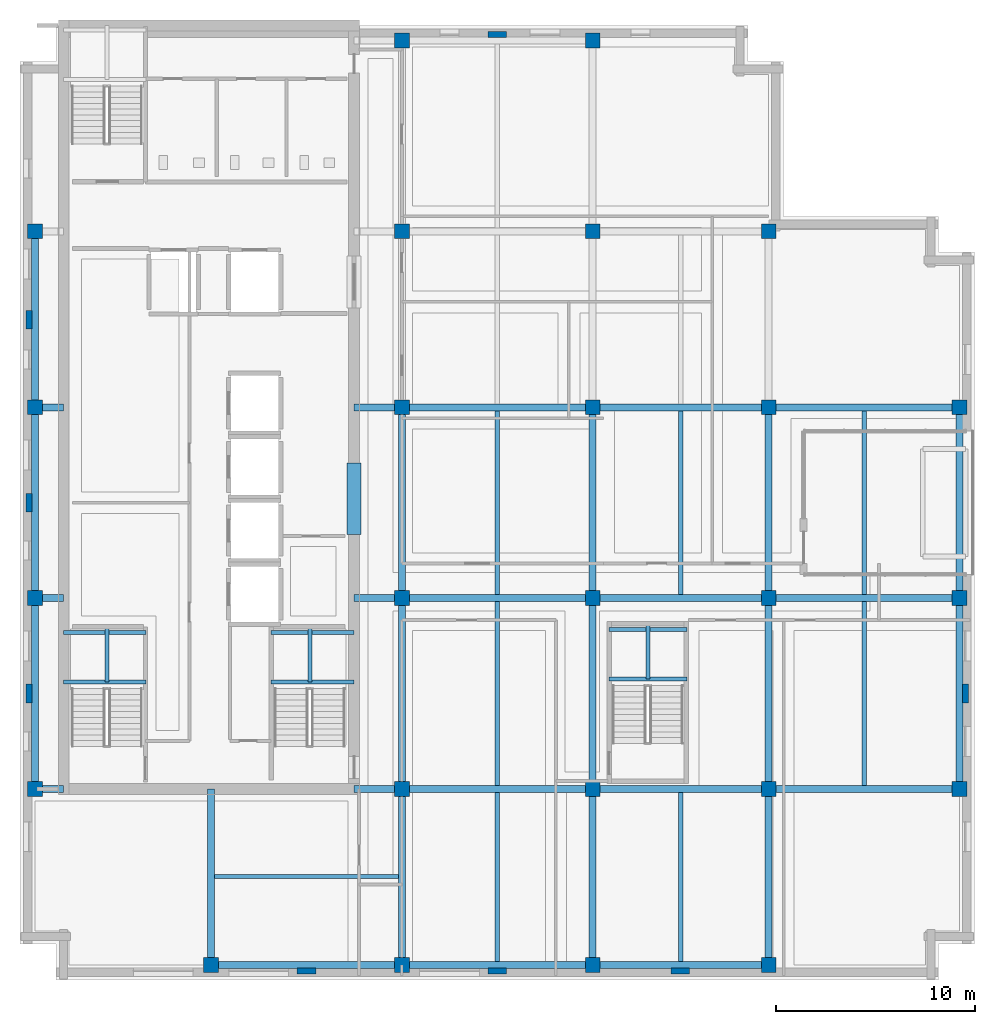
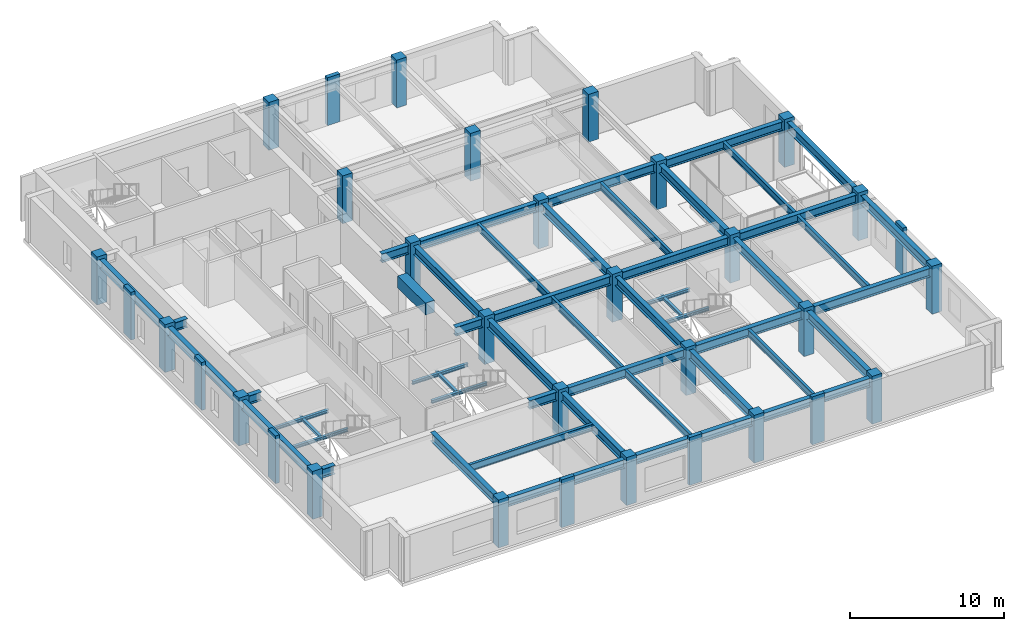
# One storey, part 1 of 13: 51 beams, 33 columns.
"""IFC4 building model written with IfcOpenShell, lengths in metres."""

from ifc_helpers import new_model, si_unit, direction, frame, origin, origin_2d, place, context, subcontext, project, spatial, rectangle, i_section, extrude, material, material_profile, profile_set, type_object, element, save


model = new_model("IFC4")

# Units and contexts
model_context = context("Model", 3, precision=1e-05, world=origin(), true_north=direction((0.0, 1.0)))
body_context = subcontext(model_context, "Body", "Model", "MODEL_VIEW")
ifc_project = project(units=[si_unit("LENGTHUNIT", "METRE"), si_unit("AREAUNIT", "SQUARE_METRE"), si_unit("VOLUMEUNIT", "CUBIC_METRE"), si_unit("PLANEANGLEUNIT", "RADIAN"), si_unit("MASSUNIT", "GRAM", prefix="KILO")], contexts=[model_context])

# Site, building, storey
site_placement = place(None, origin())
site = spatial("IfcSite", under=ifc_project, at=site_placement, CompositionType="ELEMENT")
building_placement = place(site_placement, origin())
building = spatial("IfcBuilding", under=site, at=building_placement, Name="Norrvale University Quadrangle", CompositionType="ELEMENT")
storey_placement = place(building_placement, frame((0.0, 0.0, 277.199951171875)))
storey = spatial("IfcBuildingStorey", under=building, at=storey_placement, Name="L70", CompositionType="ELEMENT", Elevation=277.199951171875)

# Columns
ifc_material_1 = material(Name="Red Manganese Brick Concrete C60/75", Category="concrete")
ifc_material_profile_1 = material_profile(ifc_material_1, rectangle(XDim=0.949951171875, YDim=0.300048828125, at=origin_2d()), Name="Red Manganese Brick Concrete C60/75")
ifc_profile_set_1 = profile_set([ifc_material_profile_1], Name="Red Manganese Brick Concrete C60/75")
column_type_1 = type_object("IfcColumnType", Name="Column Brick Pier 950x300", PredefinedType="PILASTER", material=ifc_profile_set_1)
for number, where, z_axis, x_axis, name in (
    (1, (0.449951171875, 14.39990234375, 0.0), (0.0, 0.0, 1.0), (0.0, 1.0, 0.0), "Exterior Brick Facade Pilaster L70-01"),
    (2, (0.449951171875, 24.0, 0.0), (0.0, 0.0, 1.0), (0.0, 1.0, 0.0), "Exterior Brick Facade Pilaster L70-02"),
    (3, (0.449951171875, 33.199951171875, 0.0), (0.0, 0.0, 1.0), (0.0, 1.0, 0.0), "Exterior Brick Facade Pilaster L70-03"),
    (4, (14.39990234375, 0.449951171875, 0.0), (0.0, 0.0, 1.0), (1.0, 0.0, 0.0), "Exterior Brick Facade Pilaster L70-04"),
    (5, (24.0, 0.449951171875, 0.0), (0.0, 0.0, 1.0), (1.0, 0.0, 0.0), "Exterior Brick Facade Pilaster L70-05"),
    (6, (33.199951171875, 0.449951171875, 0.0), (0.0, 0.0, 1.0), (1.0, 0.0, 0.0), "Exterior Brick Facade Pilaster L70-06"),
    (7, (47.550048828125, 14.39990234375, 0.0), (0.0, 0.0, 1.0), (0.0, 1.0, 0.0), "Exterior Brick Facade Pilaster L70-07"),
    (8, (24.0, 47.550048828125, 0.0), (0.0, 0.0, 1.0), (1.0, 0.0, 0.0), "Exterior Brick Facade Pilaster L70-08"),
):
    element("IfcColumn", number, at=place(storey_placement, frame(where, z_axis=z_axis, x_axis=x_axis)), inside=storey, type_object=column_type_1, Name=name, PredefinedType="PILASTER", context=body_context, shape_type="SweptSolid", body=[
        extrude(rectangle(XDim=0.949951171875, YDim=0.300048828125, at=origin_2d()), origin(), (0.0, 0.0, 1.0), 3.800048828125),
    ])
ifc_material_2 = material(Name="Concrete C60/75", Category="concrete")
ifc_material_profile_2 = material_profile(ifc_material_2, rectangle(XDim=0.75, YDim=0.75, at=origin_2d()), Name="Concrete C60/75")
ifc_profile_set_2 = profile_set([ifc_material_profile_2], Name="Concrete C60/75")
column_type_2 = type_object("IfcColumnType", Name="Column Tower Z4 750x750", PredefinedType="COLUMN", material=ifc_profile_set_2)
for number, where, z_axis, x_axis, name in (
    (9, (0.75, 9.60009765625, 0.0), (0.0, 0.0, 1.0), (1.0, 0.0, 0.0), "Tower Column L70-T01"),
    (10, (0.75, 19.199951171875, 0.0), (0.0, 0.0, 1.0), (1.0, 0.0, 0.0), "Tower Column L70-T02"),
    (11, (0.75, 28.800048828125, 0.0), (0.0, 0.0, 1.0), (1.0, 0.0, 0.0), "Tower Column L70-T03"),
    (12, (0.75, 37.64990234375, 0.0), (0.0, 0.0, 1.0), (1.0, 0.0, 0.0), "Tower Column L70-T04"),
    (13, (9.60009765625, 0.75, 0.0), (0.0, 0.0, 1.0), (1.0, 0.0, 0.0), "Tower Column L70-T05"),
    (14, (19.199951171875, 0.75, 0.0), (0.0, 0.0, 1.0), (1.0, 0.0, 0.0), "Tower Column L70-T06"),
    (15, (19.199951171875, 9.60009765625, 0.0), (0.0, 0.0, 1.0), (1.0, 0.0, 0.0), "Tower Column L70-T07"),
    (16, (19.199951171875, 19.199951171875, 0.0), (0.0, 0.0, 1.0), (1.0, 0.0, 0.0), "Tower Column L70-T08"),
    (17, (19.199951171875, 28.800048828125, 0.0), (0.0, 0.0, 1.0), (1.0, 0.0, 0.0), "Tower Column L70-T09"),
    (18, (19.199951171875, 37.64990234375, 0.0), (0.0, 0.0, 1.0), (1.0, 0.0, 0.0), "Tower Column L70-T10"),
    (19, (19.199951171875, 47.25, 0.0), (0.0, 0.0, 1.0), (1.0, 0.0, 0.0), "Tower Column L70-T11"),
    (20, (28.800048828125, 0.75, 0.0), (0.0, 0.0, 1.0), (1.0, 0.0, 0.0), "Tower Column L70-T12"),
    (21, (28.800048828125, 9.60009765625, 0.0), (0.0, 0.0, 1.0), (1.0, 0.0, 0.0), "Tower Column L70-T13"),
    (22, (28.800048828125, 19.199951171875, 0.0), (0.0, 0.0, 1.0), (1.0, 0.0, 0.0), "Tower Column L70-T14"),
    (23, (28.800048828125, 28.800048828125, 0.0), (0.0, 0.0, 1.0), (1.0, 0.0, 0.0), "Tower Column L70-T15"),
    (24, (28.800048828125, 37.64990234375, 0.0), (0.0, 0.0, 1.0), (1.0, 0.0, 0.0), "Tower Column L70-T16"),
    (25, (28.800048828125, 47.25, 0.0), (0.0, 0.0, 1.0), (1.0, 0.0, 0.0), "Tower Column L70-T17"),
    (26, (37.64990234375, 0.75, 0.0), (0.0, 0.0, 1.0), (1.0, 0.0, 0.0), "Tower Column L70-T18"),
    (27, (37.64990234375, 9.60009765625, 0.0), (0.0, 0.0, 1.0), (1.0, 0.0, 0.0), "Tower Column L70-T19"),
    (28, (37.64990234375, 19.199951171875, 0.0), (0.0, 0.0, 1.0), (1.0, 0.0, 0.0), "Tower Column L70-T20"),
    (29, (37.64990234375, 28.800048828125, 0.0), (0.0, 0.0, 1.0), (1.0, 0.0, 0.0), "Tower Column L70-T21"),
    (30, (37.64990234375, 37.64990234375, 0.0), (0.0, 0.0, 1.0), (1.0, 0.0, 0.0), "Tower Column L70-T22"),
    (31, (47.25, 9.60009765625, 0.0), (0.0, 0.0, 1.0), (1.0, 0.0, 0.0), "Tower Column L70-T23"),
    (32, (47.25, 19.199951171875, 0.0), (0.0, 0.0, 1.0), (1.0, 0.0, 0.0), "Tower Column L70-T24"),
    (33, (47.25, 28.800048828125, 0.0), (0.0, 0.0, 1.0), (1.0, 0.0, 0.0), "Tower Column L70-T25"),
):
    element("IfcColumn", number, at=place(storey_placement, frame(where, z_axis=z_axis, x_axis=x_axis)), inside=storey, type_object=column_type_2, Name=name, PredefinedType="COLUMN", context=body_context, shape_type="SweptSolid", body=[
        extrude(rectangle(XDim=0.75, YDim=0.75, at=origin_2d()), origin(), (0.0, 0.0, 1.0), 3.800048828125),
    ])

# Beams
ifc_material_3 = material(Name="Steel 350W", Category="steel")
ifc_material_profile_3 = material_profile(ifc_material_3, i_section(OverallWidth=0.35498046875, OverallDepth=0.695068359375, WebThickness=0.015380859375, FlangeThickness=0.02490234375, FilletRadius=0.01806640625, at=origin_2d()), Name="Steel 350W")
ifc_profile_set_3 = profile_set([ifc_material_profile_3], Name="Steel 350W")
beam_type_1 = type_object("IfcBeamType", Name="Beam Belt W690x217", PredefinedType="BEAM", material=ifc_profile_set_3)
beam_1_placement = place(storey_placement, frame((9.60009765625, 0.75, 3.192626953125), z_axis=(1.0, 0.0, 0.0), x_axis=(0.0, 1.0, 0.0)))
element("IfcBeam", 34, at=beam_1_placement, inside=storey, type_object=beam_type_1, Name="Beam Belt W690x217 BM-L70-GX001", PredefinedType="BEAM", context=body_context, shape_type="SweptSolid", body=[
    extrude(i_section(OverallWidth=0.35498046875, OverallDepth=0.695068359375, WebThickness=0.015380859375, FlangeThickness=0.02490234375, FilletRadius=0.01806640625, at=origin_2d()), origin(), (0.0, 0.0, 1.0), 9.599853515625),
])
beam_2_placement = place(storey_placement, frame((19.199951171875, 0.75, 3.192626953125), z_axis=(1.0, 0.0, 0.0), x_axis=(0.0, 1.0, 0.0)))
element("IfcBeam", 35, at=beam_2_placement, inside=storey, type_object=beam_type_1, Name="Beam Belt W690x217 BM-L70-GX002", PredefinedType="BEAM", context=body_context, shape_type="SweptSolid", body=[
    extrude(i_section(OverallWidth=0.35498046875, OverallDepth=0.695068359375, WebThickness=0.015380859375, FlangeThickness=0.02490234375, FilletRadius=0.01806640625, at=origin_2d()), origin(), (0.0, 0.0, 1.0), 9.60009765625),
])
beam_3_placement = place(storey_placement, frame((28.800048828125, 0.75, 3.192626953125), z_axis=(1.0, 0.0, 0.0), x_axis=(0.0, 1.0, 0.0)))
element("IfcBeam", 36, at=beam_3_placement, inside=storey, type_object=beam_type_1, Name="Beam Belt W690x217 BM-L70-GX003", PredefinedType="BEAM", context=body_context, shape_type="SweptSolid", body=[
    extrude(i_section(OverallWidth=0.35498046875, OverallDepth=0.695068359375, WebThickness=0.015380859375, FlangeThickness=0.02490234375, FilletRadius=0.01806640625, at=origin_2d()), origin(), (0.0, 0.0, 1.0), 8.849853515625),
])
beam_4_placement = place(storey_placement, frame((19.199951171875, 9.60009765625, 3.192626953125), z_axis=(1.0, 0.0, 0.0), x_axis=(0.0, 1.0, 0.0)))
element("IfcBeam", 37, at=beam_4_placement, inside=storey, type_object=beam_type_1, Name="Beam Belt W690x217 BM-L70-GX004", PredefinedType="BEAM", context=body_context, shape_type="SweptSolid", body=[
    extrude(i_section(OverallWidth=0.35498046875, OverallDepth=0.695068359375, WebThickness=0.015380859375, FlangeThickness=0.02490234375, FilletRadius=0.01806640625, at=origin_2d()), origin(), (0.0, 0.0, 1.0), 9.60009765625),
])
beam_5_placement = place(storey_placement, frame((28.800048828125, 9.60009765625, 3.192626953125), z_axis=(1.0, 0.0, 0.0), x_axis=(0.0, 1.0, 0.0)))
element("IfcBeam", 38, at=beam_5_placement, inside=storey, type_object=beam_type_1, Name="Beam Belt W690x217 BM-L70-GX005", PredefinedType="BEAM", context=body_context, shape_type="SweptSolid", body=[
    extrude(i_section(OverallWidth=0.35498046875, OverallDepth=0.695068359375, WebThickness=0.015380859375, FlangeThickness=0.02490234375, FilletRadius=0.01806640625, at=origin_2d()), origin(), (0.0, 0.0, 1.0), 8.849853515625),
])
for number, where, z_axis, x_axis, name in (
    (39, (37.64990234375, 9.60009765625, 3.192626953125), (1.0, 0.0, 0.0), (0.0, 1.0, 0.0), "Beam Belt W690x217 BM-L70-GX006"),
    (40, (19.199951171875, 19.199951171875, 3.192626953125), (1.0, 0.0, 0.0), (0.0, 1.0, 0.0), "Beam Belt W690x217 BM-L70-GX007"),
):
    element("IfcBeam", number, at=place(storey_placement, frame(where, z_axis=z_axis, x_axis=x_axis)), inside=storey, type_object=beam_type_1, Name=name, PredefinedType="BEAM", context=body_context, shape_type="SweptSolid", body=[
        extrude(i_section(OverallWidth=0.35498046875, OverallDepth=0.695068359375, WebThickness=0.015380859375, FlangeThickness=0.02490234375, FilletRadius=0.01806640625, at=origin_2d()), origin(), (0.0, 0.0, 1.0), 9.60009765625),
    ])
beam_6_placement = place(storey_placement, frame((28.800048828125, 19.199951171875, 3.192626953125), z_axis=(1.0, 0.0, 0.0), x_axis=(0.0, 1.0, 0.0)))
element("IfcBeam", 41, at=beam_6_placement, inside=storey, type_object=beam_type_1, Name="Beam Belt W690x217 BM-L70-GX008", PredefinedType="BEAM", context=body_context, shape_type="SweptSolid", body=[
    extrude(i_section(OverallWidth=0.35498046875, OverallDepth=0.695068359375, WebThickness=0.015380859375, FlangeThickness=0.02490234375, FilletRadius=0.01806640625, at=origin_2d()), origin(), (0.0, 0.0, 1.0), 8.849853515625),
])
for number, where, z_axis, x_axis, name in (
    (42, (37.64990234375, 19.199951171875, 3.192626953125), (1.0, 0.0, 0.0), (0.0, 1.0, 0.0), "Beam Belt W690x217 BM-L70-GX009"),
    (43, (19.199951171875, 28.800048828125, 3.192626953125), (1.0, 0.0, 0.0), (0.0, 1.0, 0.0), "Beam Belt W690x217 BM-L70-GX010"),
):
    element("IfcBeam", number, at=place(storey_placement, frame(where, z_axis=z_axis, x_axis=x_axis)), inside=storey, type_object=beam_type_1, Name=name, PredefinedType="BEAM", context=body_context, shape_type="SweptSolid", body=[
        extrude(i_section(OverallWidth=0.35498046875, OverallDepth=0.695068359375, WebThickness=0.015380859375, FlangeThickness=0.02490234375, FilletRadius=0.01806640625, at=origin_2d()), origin(), (0.0, 0.0, 1.0), 9.60009765625),
    ])
beam_7_placement = place(storey_placement, frame((28.800048828125, 28.800048828125, 3.192626953125), z_axis=(1.0, 0.0, 0.0), x_axis=(0.0, 1.0, 0.0)))
element("IfcBeam", 44, at=beam_7_placement, inside=storey, type_object=beam_type_1, Name="Beam Belt W690x217 BM-L70-GX011", PredefinedType="BEAM", context=body_context, shape_type="SweptSolid", body=[
    extrude(i_section(OverallWidth=0.35498046875, OverallDepth=0.695068359375, WebThickness=0.015380859375, FlangeThickness=0.02490234375, FilletRadius=0.01806640625, at=origin_2d()), origin(), (0.0, 0.0, 1.0), 8.849853515625),
])
beam_8_placement = place(storey_placement, frame((37.64990234375, 28.800048828125, 3.192626953125), z_axis=(1.0, 0.0, 0.0), x_axis=(0.0, 1.0, 0.0)))
element("IfcBeam", 45, at=beam_8_placement, inside=storey, type_object=beam_type_1, Name="Beam Belt W690x217 BM-L70-GX012", PredefinedType="BEAM", context=body_context, shape_type="SweptSolid", body=[
    extrude(i_section(OverallWidth=0.35498046875, OverallDepth=0.695068359375, WebThickness=0.015380859375, FlangeThickness=0.02490234375, FilletRadius=0.01806640625, at=origin_2d()), origin(), (0.0, 0.0, 1.0), 9.60009765625),
])
beam_9_placement = place(storey_placement, frame((0.75, 9.60009765625, 3.192626953125), z_axis=(0.0, 1.0, 0.0), x_axis=(-1.0, 0.0, 0.0)))
element("IfcBeam", 46, at=beam_9_placement, inside=storey, type_object=beam_type_1, Name="Beam Belt W690x217 BM-L70-GY016", PredefinedType="BEAM", context=body_context, shape_type="SweptSolid", body=[
    extrude(i_section(OverallWidth=0.35498046875, OverallDepth=0.695068359375, WebThickness=0.015380859375, FlangeThickness=0.02490234375, FilletRadius=0.01806640625, at=origin_2d()), origin(), (0.0, 0.0, 1.0), 9.599853515625),
])
beam_10_placement = place(storey_placement, frame((0.75, 19.199951171875, 3.192626953125), z_axis=(0.0, 1.0, 0.0), x_axis=(-1.0, 0.0, 0.0)))
element("IfcBeam", 47, at=beam_10_placement, inside=storey, type_object=beam_type_1, Name="Beam Belt W690x217 BM-L70-GY017", PredefinedType="BEAM", context=body_context, shape_type="SweptSolid", body=[
    extrude(i_section(OverallWidth=0.35498046875, OverallDepth=0.695068359375, WebThickness=0.015380859375, FlangeThickness=0.02490234375, FilletRadius=0.01806640625, at=origin_2d()), origin(), (0.0, 0.0, 1.0), 9.60009765625),
])
beam_11_placement = place(storey_placement, frame((0.75, 28.800048828125, 3.192626953125), z_axis=(0.0, 1.0, 0.0), x_axis=(-1.0, 0.0, 0.0)))
element("IfcBeam", 48, at=beam_11_placement, inside=storey, type_object=beam_type_1, Name="Beam Belt W690x217 BM-L70-GY018", PredefinedType="BEAM", context=body_context, shape_type="SweptSolid", body=[
    extrude(i_section(OverallWidth=0.35498046875, OverallDepth=0.695068359375, WebThickness=0.015380859375, FlangeThickness=0.02490234375, FilletRadius=0.01806640625, at=origin_2d()), origin(), (0.0, 0.0, 1.0), 8.849853515625),
])
beam_12_placement = place(storey_placement, frame((19.199951171875, 0.75, 3.192626953125), z_axis=(0.0, 1.0, 0.0), x_axis=(-1.0, 0.0, 0.0)))
element("IfcBeam", 49, at=beam_12_placement, inside=storey, type_object=beam_type_1, Name="Beam Belt W690x217 BM-L70-GY019", PredefinedType="BEAM", context=body_context, shape_type="SweptSolid", body=[
    extrude(i_section(OverallWidth=0.35498046875, OverallDepth=0.695068359375, WebThickness=0.015380859375, FlangeThickness=0.02490234375, FilletRadius=0.01806640625, at=origin_2d()), origin(), (0.0, 0.0, 1.0), 8.85009765625),
])
beam_13_placement = place(storey_placement, frame((19.199951171875, 9.60009765625, 3.192626953125), z_axis=(0.0, 1.0, 0.0), x_axis=(-1.0, 0.0, 0.0)))
element("IfcBeam", 50, at=beam_13_placement, inside=storey, type_object=beam_type_1, Name="Beam Belt W690x217 BM-L70-GY020", PredefinedType="BEAM", context=body_context, shape_type="SweptSolid", body=[
    extrude(i_section(OverallWidth=0.35498046875, OverallDepth=0.695068359375, WebThickness=0.015380859375, FlangeThickness=0.02490234375, FilletRadius=0.01806640625, at=origin_2d()), origin(), (0.0, 0.0, 1.0), 9.599853515625),
])
beam_14_placement = place(storey_placement, frame((19.199951171875, 19.199951171875, 3.192626953125), z_axis=(0.0, 1.0, 0.0), x_axis=(-1.0, 0.0, 0.0)))
element("IfcBeam", 51, at=beam_14_placement, inside=storey, type_object=beam_type_1, Name="Beam Belt W690x217 BM-L70-GY021", PredefinedType="BEAM", context=body_context, shape_type="SweptSolid", body=[
    extrude(i_section(OverallWidth=0.35498046875, OverallDepth=0.695068359375, WebThickness=0.015380859375, FlangeThickness=0.02490234375, FilletRadius=0.01806640625, at=origin_2d()), origin(), (0.0, 0.0, 1.0), 9.60009765625),
])
beam_15_placement = place(storey_placement, frame((28.800048828125, 0.75, 3.192626953125), z_axis=(0.0, 1.0, 0.0), x_axis=(-1.0, 0.0, 0.0)))
element("IfcBeam", 52, at=beam_15_placement, inside=storey, type_object=beam_type_1, Name="Beam Belt W690x217 BM-L70-GY024", PredefinedType="BEAM", context=body_context, shape_type="SweptSolid", body=[
    extrude(i_section(OverallWidth=0.35498046875, OverallDepth=0.695068359375, WebThickness=0.015380859375, FlangeThickness=0.02490234375, FilletRadius=0.01806640625, at=origin_2d()), origin(), (0.0, 0.0, 1.0), 8.85009765625),
])
beam_16_placement = place(storey_placement, frame((28.800048828125, 9.60009765625, 3.192626953125), z_axis=(0.0, 1.0, 0.0), x_axis=(-1.0, 0.0, 0.0)))
element("IfcBeam", 53, at=beam_16_placement, inside=storey, type_object=beam_type_1, Name="Beam Belt W690x217 BM-L70-GY025", PredefinedType="BEAM", context=body_context, shape_type="SweptSolid", body=[
    extrude(i_section(OverallWidth=0.35498046875, OverallDepth=0.695068359375, WebThickness=0.015380859375, FlangeThickness=0.02490234375, FilletRadius=0.01806640625, at=origin_2d()), origin(), (0.0, 0.0, 1.0), 9.599853515625),
])
beam_17_placement = place(storey_placement, frame((28.800048828125, 19.199951171875, 3.192626953125), z_axis=(0.0, 1.0, 0.0), x_axis=(-1.0, 0.0, 0.0)))
element("IfcBeam", 54, at=beam_17_placement, inside=storey, type_object=beam_type_1, Name="Beam Belt W690x217 BM-L70-GY026", PredefinedType="BEAM", context=body_context, shape_type="SweptSolid", body=[
    extrude(i_section(OverallWidth=0.35498046875, OverallDepth=0.695068359375, WebThickness=0.015380859375, FlangeThickness=0.02490234375, FilletRadius=0.01806640625, at=origin_2d()), origin(), (0.0, 0.0, 1.0), 9.60009765625),
])
beam_18_placement = place(storey_placement, frame((37.64990234375, 0.75, 3.192626953125), z_axis=(0.0, 1.0, 0.0), x_axis=(-1.0, 0.0, 0.0)))
element("IfcBeam", 55, at=beam_18_placement, inside=storey, type_object=beam_type_1, Name="Beam Belt W690x217 BM-L70-GY029", PredefinedType="BEAM", context=body_context, shape_type="SweptSolid", body=[
    extrude(i_section(OverallWidth=0.35498046875, OverallDepth=0.695068359375, WebThickness=0.015380859375, FlangeThickness=0.02490234375, FilletRadius=0.01806640625, at=origin_2d()), origin(), (0.0, 0.0, 1.0), 8.85009765625),
])
beam_19_placement = place(storey_placement, frame((37.64990234375, 9.60009765625, 3.192626953125), z_axis=(0.0, 1.0, 0.0), x_axis=(-1.0, 0.0, 0.0)))
element("IfcBeam", 56, at=beam_19_placement, inside=storey, type_object=beam_type_1, Name="Beam Belt W690x217 BM-L70-GY030", PredefinedType="BEAM", context=body_context, shape_type="SweptSolid", body=[
    extrude(i_section(OverallWidth=0.35498046875, OverallDepth=0.695068359375, WebThickness=0.015380859375, FlangeThickness=0.02490234375, FilletRadius=0.01806640625, at=origin_2d()), origin(), (0.0, 0.0, 1.0), 9.599853515625),
])
beam_20_placement = place(storey_placement, frame((37.64990234375, 19.199951171875, 3.192626953125), z_axis=(0.0, 1.0, 0.0), x_axis=(-1.0, 0.0, 0.0)))
element("IfcBeam", 57, at=beam_20_placement, inside=storey, type_object=beam_type_1, Name="Beam Belt W690x217 BM-L70-GY031", PredefinedType="BEAM", context=body_context, shape_type="SweptSolid", body=[
    extrude(i_section(OverallWidth=0.35498046875, OverallDepth=0.695068359375, WebThickness=0.015380859375, FlangeThickness=0.02490234375, FilletRadius=0.01806640625, at=origin_2d()), origin(), (0.0, 0.0, 1.0), 9.60009765625),
])
beam_21_placement = place(storey_placement, frame((47.25, 9.60009765625, 3.192626953125), z_axis=(0.0, 1.0, 0.0), x_axis=(-1.0, 0.0, 0.0)))
element("IfcBeam", 58, at=beam_21_placement, inside=storey, type_object=beam_type_1, Name="Beam Belt W690x217 BM-L70-GY033", PredefinedType="BEAM", context=body_context, shape_type="SweptSolid", body=[
    extrude(i_section(OverallWidth=0.35498046875, OverallDepth=0.695068359375, WebThickness=0.015380859375, FlangeThickness=0.02490234375, FilletRadius=0.01806640625, at=origin_2d()), origin(), (0.0, 0.0, 1.0), 9.599853515625),
])
beam_22_placement = place(storey_placement, frame((47.25, 19.199951171875, 3.192626953125), z_axis=(0.0, 1.0, 0.0), x_axis=(-1.0, 0.0, 0.0)))
element("IfcBeam", 59, at=beam_22_placement, inside=storey, type_object=beam_type_1, Name="Beam Belt W690x217 BM-L70-GY034", PredefinedType="BEAM", context=body_context, shape_type="SweptSolid", body=[
    extrude(i_section(OverallWidth=0.35498046875, OverallDepth=0.695068359375, WebThickness=0.015380859375, FlangeThickness=0.02490234375, FilletRadius=0.01806640625, at=origin_2d()), origin(), (0.0, 0.0, 1.0), 9.60009765625),
])
beam_23_placement = place(storey_placement, frame((0.75, 9.60009765625, 3.192626953125), z_axis=(1.0, 0.0, 0.0), x_axis=(0.0, 1.0, 0.0)))
element("IfcBeam", 60, at=beam_23_placement, inside=storey, type_object=beam_type_1, Name="Beam Belt W690x217 BM-L70-GCW035", PredefinedType="BEAM", context=body_context, shape_type="SweptSolid", body=[
    extrude(i_section(OverallWidth=0.35498046875, OverallDepth=0.695068359375, WebThickness=0.015380859375, FlangeThickness=0.02490234375, FilletRadius=0.01806640625, at=origin_2d()), origin(), (0.0, 0.0, 1.0), 1.449951171875),
])
beam_24_placement = place(storey_placement, frame((16.800048828125, 9.60009765625, 3.192626953125), z_axis=(1.0, 0.0, 0.0), x_axis=(0.0, 1.0, 0.0)))
element("IfcBeam", 61, at=beam_24_placement, inside=storey, type_object=beam_type_1, Name="Beam Belt W690x217 BM-L70-GCE036", PredefinedType="BEAM", context=body_context, shape_type="SweptSolid", body=[
    extrude(i_section(OverallWidth=0.35498046875, OverallDepth=0.695068359375, WebThickness=0.015380859375, FlangeThickness=0.02490234375, FilletRadius=0.01806640625, at=origin_2d()), origin(), (0.0, 0.0, 1.0), 2.39990234375),
])
beam_25_placement = place(storey_placement, frame((0.75, 19.199951171875, 3.192626953125), z_axis=(1.0, 0.0, 0.0), x_axis=(0.0, 1.0, 0.0)))
element("IfcBeam", 62, at=beam_25_placement, inside=storey, type_object=beam_type_1, Name="Beam Belt W690x217 BM-L70-GCW037", PredefinedType="BEAM", context=body_context, shape_type="SweptSolid", body=[
    extrude(i_section(OverallWidth=0.35498046875, OverallDepth=0.695068359375, WebThickness=0.015380859375, FlangeThickness=0.02490234375, FilletRadius=0.01806640625, at=origin_2d()), origin(), (0.0, 0.0, 1.0), 1.449951171875),
])
beam_26_placement = place(storey_placement, frame((16.800048828125, 19.199951171875, 3.192626953125), z_axis=(1.0, 0.0, 0.0), x_axis=(0.0, 1.0, 0.0)))
element("IfcBeam", 63, at=beam_26_placement, inside=storey, type_object=beam_type_1, Name="Beam Belt W690x217 BM-L70-GCE038", PredefinedType="BEAM", context=body_context, shape_type="SweptSolid", body=[
    extrude(i_section(OverallWidth=0.35498046875, OverallDepth=0.695068359375, WebThickness=0.015380859375, FlangeThickness=0.02490234375, FilletRadius=0.01806640625, at=origin_2d()), origin(), (0.0, 0.0, 1.0), 2.39990234375),
])
beam_27_placement = place(storey_placement, frame((0.75, 28.800048828125, 3.192626953125), z_axis=(1.0, 0.0, 0.0), x_axis=(0.0, 1.0, 0.0)))
element("IfcBeam", 64, at=beam_27_placement, inside=storey, type_object=beam_type_1, Name="Beam Belt W690x217 BM-L70-GCW039", PredefinedType="BEAM", context=body_context, shape_type="SweptSolid", body=[
    extrude(i_section(OverallWidth=0.35498046875, OverallDepth=0.695068359375, WebThickness=0.015380859375, FlangeThickness=0.02490234375, FilletRadius=0.01806640625, at=origin_2d()), origin(), (0.0, 0.0, 1.0), 1.449951171875),
])
beam_28_placement = place(storey_placement, frame((16.800048828125, 28.800048828125, 3.192626953125), z_axis=(1.0, 0.0, 0.0), x_axis=(0.0, 1.0, 0.0)))
element("IfcBeam", 65, at=beam_28_placement, inside=storey, type_object=beam_type_1, Name="Beam Belt W690x217 BM-L70-GCE040", PredefinedType="BEAM", context=body_context, shape_type="SweptSolid", body=[
    extrude(i_section(OverallWidth=0.35498046875, OverallDepth=0.695068359375, WebThickness=0.015380859375, FlangeThickness=0.02490234375, FilletRadius=0.01806640625, at=origin_2d()), origin(), (0.0, 0.0, 1.0), 2.39990234375),
])
beam_29_placement = place(storey_placement, frame((9.60009765625, 0.75, 3.192626953125), z_axis=(0.0, 1.0, 0.0), x_axis=(-1.0, 0.0, 0.0)))
element("IfcBeam", 66, at=beam_29_placement, inside=storey, type_object=beam_type_1, Name="Beam Belt W690x217 BM-L70-GCS054", PredefinedType="BEAM", context=body_context, shape_type="SweptSolid", body=[
    extrude(i_section(OverallWidth=0.35498046875, OverallDepth=0.695068359375, WebThickness=0.015380859375, FlangeThickness=0.02490234375, FilletRadius=0.01806640625, at=origin_2d()), origin(), (0.0, 0.0, 1.0), 8.85009765625),
])
ifc_material_4 = material(Name="Concrete C80/95", Category="concrete")
ifc_material_profile_4 = material_profile(ifc_material_4, rectangle(XDim=0.699951171875, YDim=0.949951171875, at=origin_2d()), Name="Concrete C80/95")
ifc_profile_set_4 = profile_set([ifc_material_profile_4], Name="Concrete C80/95")
beam_type_2 = type_object("IfcBeamType", Name="Beam Core Link 700x950", PredefinedType="LINTEL", material=ifc_profile_set_4)
beam_30_placement = place(storey_placement, frame((16.800048828125, 22.39990234375, 3.06494140625), z_axis=(0.0, 1.0, 0.0), x_axis=(-1.0, 0.0, 0.0)))
element("IfcBeam", 67, at=beam_30_placement, inside=storey, type_object=beam_type_2, Name="Core Coupling Lintel Beam L70-1", PredefinedType="LINTEL", context=body_context, shape_type="SweptSolid", body=[
    extrude(rectangle(XDim=0.699951171875, YDim=0.949951171875, at=origin_2d()), origin(), (0.0, 0.0, 1.0), 3.60009765625),
])
ifc_material_profile_5 = material_profile(ifc_material_3, i_section(OverallWidth=0.2119140625, OverallDepth=0.5439453125, WebThickness=0.01318359375, FlangeThickness=0.021240234375, FilletRadius=0.013916015625, at=origin_2d()), Name="Steel 350W")
ifc_profile_set_5 = profile_set([ifc_material_profile_5], Name="Steel 350W")
beam_type_3 = type_object("IfcBeamType", Name="Beam Floor W530x123", PredefinedType="BEAM", material=ifc_profile_set_5)
beam_31_placement = place(storey_placement, frame((24.0, 0.927490234375, 3.26806640625), z_axis=(0.0, 1.0, 0.0), x_axis=(-1.0, 0.0, 0.0)))
element("IfcBeam", 68, at=beam_31_placement, inside=storey, type_object=beam_type_3, Name="Beam Floor W530x123 BM-L70-J044", PredefinedType="BEAM", context=body_context, shape_type="SweptSolid", body=[
    extrude(i_section(OverallWidth=0.2119140625, OverallDepth=0.5439453125, WebThickness=0.01318359375, FlangeThickness=0.021240234375, FilletRadius=0.013916015625, at=origin_2d()), origin(), (0.0, 0.0, 1.0), 8.4951171875),
])
beam_32_placement = place(storey_placement, frame((24.0, 9.777587890625, 3.26806640625), z_axis=(0.0, 1.0, 0.0), x_axis=(-1.0, 0.0, 0.0)))
element("IfcBeam", 69, at=beam_32_placement, inside=storey, type_object=beam_type_3, Name="Beam Floor W530x123 BM-L70-J045", PredefinedType="BEAM", context=body_context, shape_type="SweptSolid", body=[
    extrude(i_section(OverallWidth=0.2119140625, OverallDepth=0.5439453125, WebThickness=0.01318359375, FlangeThickness=0.021240234375, FilletRadius=0.013916015625, at=origin_2d()), origin(), (0.0, 0.0, 1.0), 9.244873046875),
])
beam_33_placement = place(storey_placement, frame((24.0, 19.37744140625, 3.26806640625), z_axis=(0.0, 1.0, 0.0), x_axis=(-1.0, 0.0, 0.0)))
element("IfcBeam", 70, at=beam_33_placement, inside=storey, type_object=beam_type_3, Name="Beam Floor W530x123 BM-L70-J046", PredefinedType="BEAM", context=body_context, shape_type="SweptSolid", body=[
    extrude(i_section(OverallWidth=0.2119140625, OverallDepth=0.5439453125, WebThickness=0.01318359375, FlangeThickness=0.021240234375, FilletRadius=0.013916015625, at=origin_2d()), origin(), (0.0, 0.0, 1.0), 9.2451171875),
])
beam_34_placement = place(storey_placement, frame((33.22509765625, 0.927490234375, 3.26806640625), z_axis=(0.0, 1.0, 0.0), x_axis=(-1.0, 0.0, 0.0)))
element("IfcBeam", 71, at=beam_34_placement, inside=storey, type_object=beam_type_3, Name="Beam Floor W530x123 BM-L70-J049", PredefinedType="BEAM", context=body_context, shape_type="SweptSolid", body=[
    extrude(i_section(OverallWidth=0.2119140625, OverallDepth=0.5439453125, WebThickness=0.01318359375, FlangeThickness=0.021240234375, FilletRadius=0.013916015625, at=origin_2d()), origin(), (0.0, 0.0, 1.0), 8.4951171875),
])
beam_35_placement = place(storey_placement, frame((33.22509765625, 19.37744140625, 3.26806640625), z_axis=(0.0, 1.0, 0.0), x_axis=(-1.0, 0.0, 0.0)))
element("IfcBeam", 72, at=beam_35_placement, inside=storey, type_object=beam_type_3, Name="Beam Floor W530x123 BM-L70-J050", PredefinedType="BEAM", context=body_context, shape_type="SweptSolid", body=[
    extrude(i_section(OverallWidth=0.2119140625, OverallDepth=0.5439453125, WebThickness=0.01318359375, FlangeThickness=0.021240234375, FilletRadius=0.013916015625, at=origin_2d()), origin(), (0.0, 0.0, 1.0), 9.2451171875),
])
beam_36_placement = place(storey_placement, frame((42.449951171875, 9.777587890625, 3.26806640625), z_axis=(0.0, 1.0, 0.0), x_axis=(-1.0, 0.0, 0.0)))
element("IfcBeam", 73, at=beam_36_placement, inside=storey, type_object=beam_type_3, Name="Beam Floor W530x123 BM-L70-J052", PredefinedType="BEAM", context=body_context, shape_type="SweptSolid", body=[
    extrude(i_section(OverallWidth=0.2119140625, OverallDepth=0.5439453125, WebThickness=0.01318359375, FlangeThickness=0.021240234375, FilletRadius=0.013916015625, at=origin_2d()), origin(), (0.0, 0.0, 1.0), 9.244873046875),
])
beam_37_placement = place(storey_placement, frame((42.449951171875, 19.37744140625, 3.26806640625), z_axis=(0.0, 1.0, 0.0), x_axis=(-1.0, 0.0, 0.0)))
element("IfcBeam", 74, at=beam_37_placement, inside=storey, type_object=beam_type_3, Name="Beam Floor W530x123 BM-L70-J053", PredefinedType="BEAM", context=body_context, shape_type="SweptSolid", body=[
    extrude(i_section(OverallWidth=0.2119140625, OverallDepth=0.5439453125, WebThickness=0.01318359375, FlangeThickness=0.021240234375, FilletRadius=0.013916015625, at=origin_2d()), origin(), (0.0, 0.0, 1.0), 9.2451171875),
])
beam_38_placement = place(storey_placement, frame((9.777587890625, 5.199951171875, 3.26806640625), z_axis=(1.0, 0.0, 0.0), x_axis=(0.0, 1.0, 0.0)))
element("IfcBeam", 75, at=beam_38_placement, inside=storey, type_object=beam_type_3, Name="Beam Floor W530x123 BM-L70-JCS055", PredefinedType="BEAM", context=body_context, shape_type="SweptSolid", body=[
    extrude(i_section(OverallWidth=0.2119140625, OverallDepth=0.5439453125, WebThickness=0.01318359375, FlangeThickness=0.021240234375, FilletRadius=0.013916015625, at=origin_2d()), origin(), (0.0, 0.0, 1.0), 9.244873046875),
])
ifc_material_profile_6 = material_profile(ifc_material_3, i_section(OverallWidth=0.201904296875, OverallDepth=0.2470703125, WebThickness=0.00732421875, FlangeThickness=0.010986328125, FilletRadius=0.011962890625, at=origin_2d()), Name="Steel 350W")
ifc_profile_set_6 = profile_set([ifc_material_profile_6], Name="Steel 350W")
beam_type_4 = type_object("IfcBeamType", Name="Beam Stair W250x49", PredefinedType="BEAM", material=ifc_profile_set_6)
for number, where, z_axis, x_axis, name in (
    (76, (2.199951171875, 14.989990234375, 1.57666015625), (1.0, 0.0, 0.0), (0.0, 1.0, 0.0), "Stair Mid-Landing Front Beam ST-01 L70"),
    (77, (2.199951171875, 17.469970703125, 1.57666015625), (1.0, 0.0, 0.0), (0.0, 1.0, 0.0), "Stair Mid-Landing Rear Beam ST-01 L70"),
):
    element("IfcBeam", number, at=place(storey_placement, frame(where, z_axis=z_axis, x_axis=x_axis)), inside=storey, type_object=beam_type_4, Name=name, PredefinedType="BEAM", context=body_context, shape_type="SweptSolid", body=[
        extrude(i_section(OverallWidth=0.201904296875, OverallDepth=0.2470703125, WebThickness=0.00732421875, FlangeThickness=0.010986328125, FilletRadius=0.011962890625, at=origin_2d()), origin(), (0.0, 0.0, 1.0), 4.14013671875),
    ])
for number, where, z_axis, x_axis, name in (
    (78, (12.610107421875, 14.989990234375, 1.57666015625), (1.0, 0.0, 0.0), (0.0, 1.0, 0.0), "Stair Mid-Landing Front Beam ST-03 L70"),
    (79, (12.610107421875, 17.469970703125, 1.57666015625), (1.0, 0.0, 0.0), (0.0, 1.0, 0.0), "Stair Mid-Landing Rear Beam ST-03 L70"),
):
    element("IfcBeam", number, at=place(storey_placement, frame(where, z_axis=z_axis, x_axis=x_axis)), inside=storey, type_object=beam_type_4, Name=name, PredefinedType="BEAM", context=body_context, shape_type="SweptSolid", body=[
        extrude(i_section(OverallWidth=0.201904296875, OverallDepth=0.2470703125, WebThickness=0.00732421875, FlangeThickness=0.010986328125, FilletRadius=0.011962890625, at=origin_2d()), origin(), (0.0, 0.0, 1.0), 4.18994140625),
    ])
for number, where, z_axis, x_axis, name in (
    (80, (29.610107421875, 15.139892578125, 1.57666015625), (1.0, 0.0, 0.0), (0.0, 1.0, 0.0), "Stair Mid-Landing Front Beam ST-04 L70"),
    (81, (29.610107421875, 17.6201171875, 1.57666015625), (1.0, 0.0, 0.0), (0.0, 1.0, 0.0), "Stair Mid-Landing Rear Beam ST-04 L70"),
):
    element("IfcBeam", number, at=place(storey_placement, frame(where, z_axis=z_axis, x_axis=x_axis)), inside=storey, type_object=beam_type_4, Name=name, PredefinedType="BEAM", context=body_context, shape_type="SweptSolid", body=[
        extrude(i_section(OverallWidth=0.201904296875, OverallDepth=0.2470703125, WebThickness=0.00732421875, FlangeThickness=0.010986328125, FilletRadius=0.011962890625, at=origin_2d()), origin(), (0.0, 0.0, 1.0), 3.929931640625),
    ])
ifc_material_profile_7 = material_profile(ifc_material_3, i_section(OverallWidth=0.202880859375, OverallDepth=0.202880859375, WebThickness=0.007080078125, FlangeThickness=0.010986328125, FilletRadius=0.010009765625, at=origin_2d()), Name="Steel 350W")
ifc_profile_set_7 = profile_set([ifc_material_profile_7], Name="Steel 350W")
beam_type_5 = type_object("IfcBeamType", Name="Beam Trim W200x46", PredefinedType="BEAM", material=ifc_profile_set_7)
for number, where, z_axis, x_axis, name in (
    (82, (4.375, 14.989990234375, 1.5986328125), (0.0, 1.0, 0.0), (-1.0, 0.0, 0.0), "Stair Mid-Landing Cross Beam ST-01 L70"),
    (83, (14.574951171875, 14.989990234375, 1.5986328125), (0.0, 1.0, 0.0), (-1.0, 0.0, 0.0), "Stair Mid-Landing Cross Beam ST-03 L70"),
    (84, (31.574951171875, 15.139892578125, 1.5986328125), (0.0, 1.0, 0.0), (-1.0, 0.0, 0.0), "Stair Mid-Landing Cross Beam ST-04 L70"),
):
    element("IfcBeam", number, at=place(storey_placement, frame(where, z_axis=z_axis, x_axis=x_axis)), inside=storey, type_object=beam_type_5, Name=name, PredefinedType="BEAM", context=body_context, shape_type="SweptSolid", body=[
        extrude(i_section(OverallWidth=0.202880859375, OverallDepth=0.202880859375, WebThickness=0.007080078125, FlangeThickness=0.010986328125, FilletRadius=0.010009765625, at=origin_2d()), origin(), (0.0, 0.0, 1.0), 2.800048828125),
    ])

save(model, "model.ifc")
